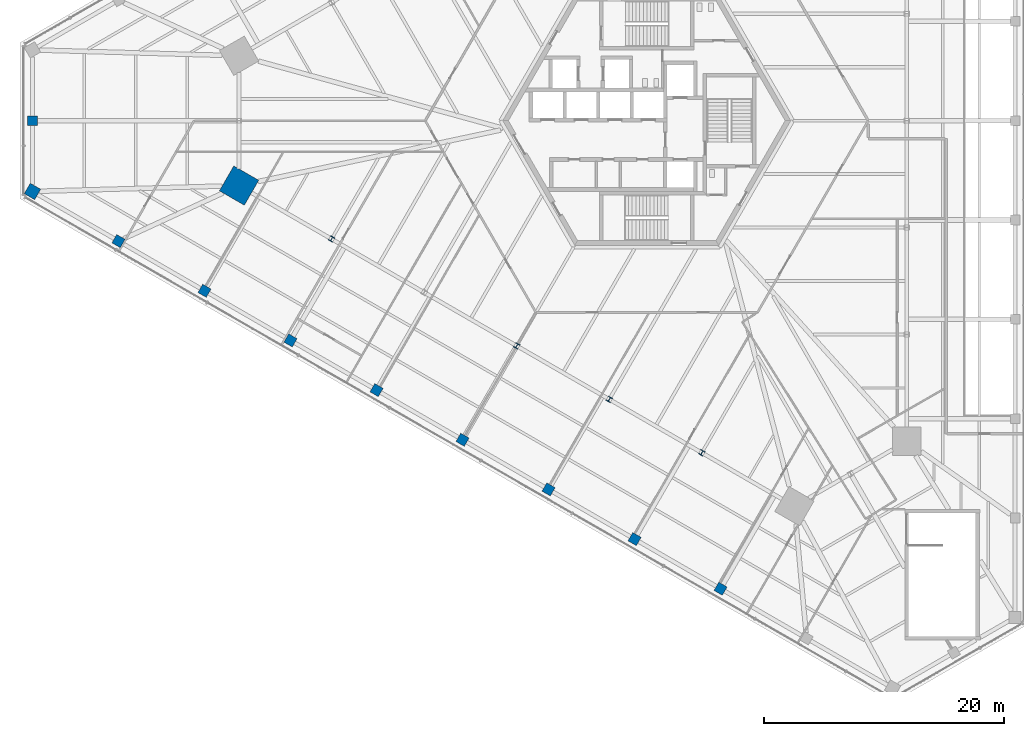
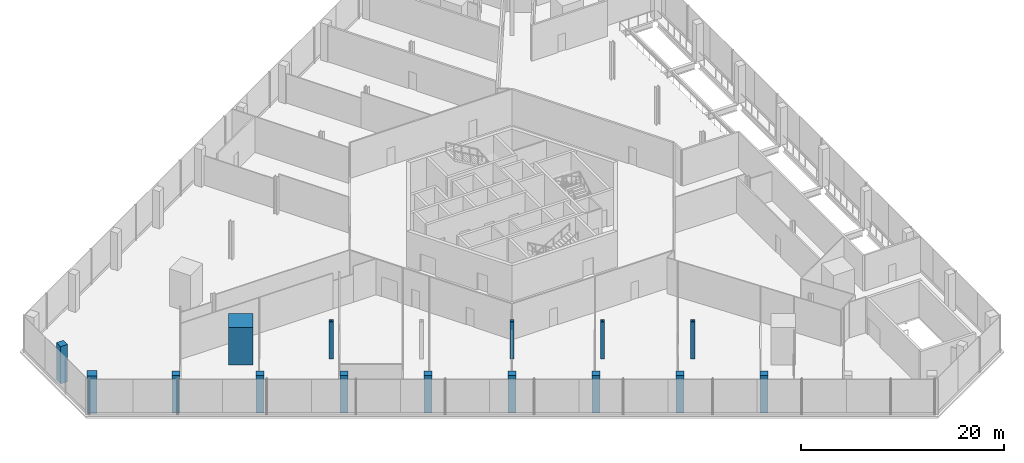
# One storey, part 1 of 25: 15 columns.
"""IFC4 building model written with IfcOpenShell, lengths in metres."""

from ifc_helpers import new_model, si_unit, direction, frame, origin, origin_2d, place, context, subcontext, project, spatial, rectangle, i_section, extrude, source, transform, mapped, material, material_profile, profile_set, type_object, element, save


model = new_model("IFC4")

# Units and contexts
model_context = context("Model", 3, precision=1e-05, world=origin(), true_north=direction((0.0, 1.0)))
body_context = subcontext(model_context, "Body", "Model", "MODEL_VIEW")
ifc_project = project(units=[si_unit("LENGTHUNIT", "METRE"), si_unit("AREAUNIT", "SQUARE_METRE"), si_unit("VOLUMEUNIT", "CUBIC_METRE"), si_unit("PLANEANGLEUNIT", "RADIAN"), si_unit("MASSUNIT", "GRAM", prefix="KILO")], contexts=[model_context])

# Site, building, storey
site_placement = place(None, origin())
site = spatial("IfcSite", under=ifc_project, at=site_placement, CompositionType="ELEMENT")
building_placement = place(site_placement, origin())
building = spatial("IfcBuilding", under=site, at=building_placement, Name="Triune Harvest Tower", CompositionType="ELEMENT")
storey_placement = place(building_placement, frame((0.0, 0.0, 11.5)))
storey = spatial("IfcBuildingStorey", under=building, at=storey_placement, Name="L02", CompositionType="ELEMENT", Elevation=11.5)

# Columns
ifc_material_1 = material(Name="Concrete 70 MPa", Category="concrete")
ifc_material_profile_1 = material_profile(ifc_material_1, rectangle(XDim=2.39990234375, YDim=2.39990234375, at=origin_2d()), Name="Composite 2400x2400")
ifc_profile_set_1 = profile_set([ifc_material_profile_1], Name="Concrete 70 MPa")
column_type_1 = type_object("IfcColumnType", Name="MC-1 Mega column Composite 2400x2400", PredefinedType="COLUMN", material=ifc_profile_set_1)
shared_shape_1 = source(origin(), body_context, "Body", "SweptSolid", [
    extrude(rectangle(XDim=2.39990234375, YDim=2.39990234375, at=origin_2d()), origin(), (0.0, 0.0, 1.0), 4.5),
])
column_1_placement = place(storey_placement, frame((-33.988525390625, -5.409912109375, 0.0), z_axis=(0.0, 0.0, 1.0), x_axis=(0.866025403784, -0.5, 0.0)))
element("IfcColumn", 1, at=column_1_placement, inside=storey, type_object=column_type_1, Name="col/L02/M16", PredefinedType="COLUMN", context=body_context, shape_type="MappedRepresentation", body=[
    mapped(shared_shape_1, transform((0.0, 0.0, 0.0), scale=1.0)),
])
ifc_material_2 = material(Name="Steel ASTM A992 Gr 50", Category="steel")
ifc_material_profile_2 = material_profile(ifc_material_2, i_section(OverallWidth=0.40380859375, OverallDepth=0.406494140625, WebThickness=0.027099609375, FlangeThickness=0.043701171875, at=origin_2d()), Name="W14x233")
ifc_profile_set_2 = profile_set([ifc_material_profile_2], Name="Steel ASTM A992 Gr 50")
column_type_2 = type_object("IfcColumnType", Name="PC-1 Perimeter column W14x233", PredefinedType="COLUMN", material=ifc_profile_set_2)
shared_shape_2 = source(origin(), body_context, "Body", "SweptSolid", [
    extrude(i_section(OverallWidth=0.40380859375, OverallDepth=0.406494140625, WebThickness=0.027099609375, FlangeThickness=0.043701171875, at=origin_2d()), origin(), (0.0, 0.0, 1.0), 4.5),
])
for number, where, z_axis, x_axis, name in (
    (2, (-26.272216796875, -9.864990234375, 0.0), (0.0, 0.0, 1.0), (0.866025403784, -0.5, 0.0), "col/L02/P17"),
    (3, (-10.839599609375, -18.77490234375, 0.0), (0.0, 0.0, 1.0), (0.866025403784, -0.5, 0.0), "col/L02/P19"),
    (4, (-3.12353515625, -23.22998046875, 0.0), (0.0, 0.0, 1.0), (0.866025403784, -0.5, 0.0), "col/L02/P20"),
    (5, (4.5927734375, -27.68505859375, 0.0), (0.0, 0.0, 1.0), (0.866025403784, -0.5, 0.0), "col/L02/P21"),
):
    element("IfcColumn", number, at=place(storey_placement, frame(where, z_axis=z_axis, x_axis=x_axis)), inside=storey, type_object=column_type_2, Name=name, PredefinedType="COLUMN", context=body_context, shape_type="MappedRepresentation", body=[
        mapped(shared_shape_2, transform((0.0, 0.0, 0.0), scale=1.0)),
    ])
ifc_material_3 = material(Name="Concrete 50 MPa", Category="concrete")
ifc_material_profile_3 = material_profile(ifc_material_3, rectangle(XDim=1.0, YDim=1.0, at=origin_2d()), Name="Concrete 1000x1000")
ifc_profile_set_3 = profile_set([ifc_material_profile_3], Name="Concrete 50 MPa")
column_type_3 = type_object("IfcColumnType", Name="PD-1 Podium column Concrete 1000x1000", PredefinedType="COLUMN", material=ifc_profile_set_3)
shared_shape_3 = source(origin(), body_context, "Body", "SweptSolid", [
    extrude(rectangle(XDim=1.0, YDim=1.0, at=origin_2d()), origin(), (0.0, 0.0, 1.0), 4.5),
])
column_2_placement = place(storey_placement, frame((-51.2109375, -5.89990234375, 0.0), z_axis=(0.0, 0.0, 1.0), x_axis=(0.866025403784, -0.5, 0.0)))
element("IfcColumn", 6, at=column_2_placement, inside=storey, type_object=column_type_3, Name="col/L02/D24", PredefinedType="COLUMN", context=body_context, shape_type="MappedRepresentation", body=[
    mapped(shared_shape_3, transform((0.0, 0.0, 0.0), scale=1.0)),
])
ifc_material_4 = material(Name="Concrete 50 MPa", Category="concrete")
ifc_material_profile_4 = material_profile(ifc_material_4, rectangle(XDim=0.800048828125, YDim=0.800048828125, at=origin_2d()), Name="Concrete 800x800")
ifc_profile_set_4 = profile_set([ifc_material_profile_4], Name="Concrete 50 MPa")
column_type_4 = type_object("IfcColumnType", Name="PD-2 Podium column Concrete 800x800", PredefinedType="COLUMN", material=ifc_profile_set_4)
shared_shape_4 = source(origin(), body_context, "Body", "SweptSolid", [
    extrude(rectangle(XDim=0.800048828125, YDim=0.800048828125, at=origin_2d()), origin(), (0.0, 0.0, 1.0), 4.5),
])
for number, where, z_axis, x_axis, name in (
    (7, (-51.2109375, 0.0, 0.0), (0.0, 0.0, 1.0), (0.0, -1.0, 0.0), "col/L02/D23"),
    (8, (-44.040283203125, -10.0400390625, 0.0), (0.0, 0.0, 1.0), (0.866025403784, -0.5, 0.0), "col/L02/D25"),
    (9, (-36.86962890625, -14.179931640625, 0.0), (0.0, 0.0, 1.0), (0.866025403784, -0.5, 0.0), "col/L02/D26"),
    (10, (-29.698974609375, -18.320068359375, 0.0), (0.0, 0.0, 1.0), (0.866025403784, -0.5, 0.0), "col/L02/D27"),
    (11, (-22.5283203125, -22.4599609375, 0.0), (0.0, 0.0, 1.0), (0.866025403784, -0.5, 0.0), "col/L02/D28"),
    (12, (-15.357666015625, -26.60009765625, 0.0), (0.0, 0.0, 1.0), (0.866025403784, -0.5, 0.0), "col/L02/D29"),
    (13, (-8.18701171875, -30.739990234375, 0.0), (0.0, 0.0, 1.0), (0.866025403784, -0.5, 0.0), "col/L02/D30"),
    (14, (-1.01611328125, -34.8798828125, 0.0), (0.0, 0.0, 1.0), (0.866025403784, -0.5, 0.0), "col/L02/D31"),
    (15, (6.154541015625, -39.02001953125, 0.0), (0.0, 0.0, 1.0), (0.866025403784, -0.5, 0.0), "col/L02/D32"),
):
    element("IfcColumn", number, at=place(storey_placement, frame(where, z_axis=z_axis, x_axis=x_axis)), inside=storey, type_object=column_type_4, Name=name, PredefinedType="COLUMN", context=body_context, shape_type="MappedRepresentation", body=[
        mapped(shared_shape_4, transform((0.0, 0.0, 0.0), scale=1.0)),
    ])

save(model, "model.ifc")
